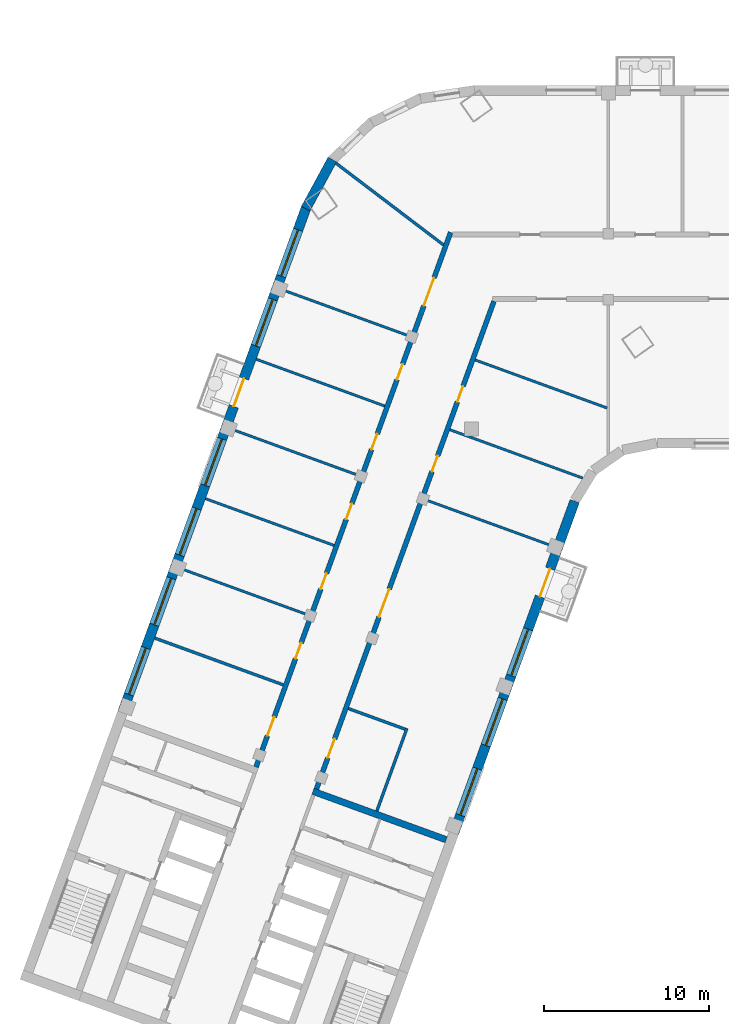
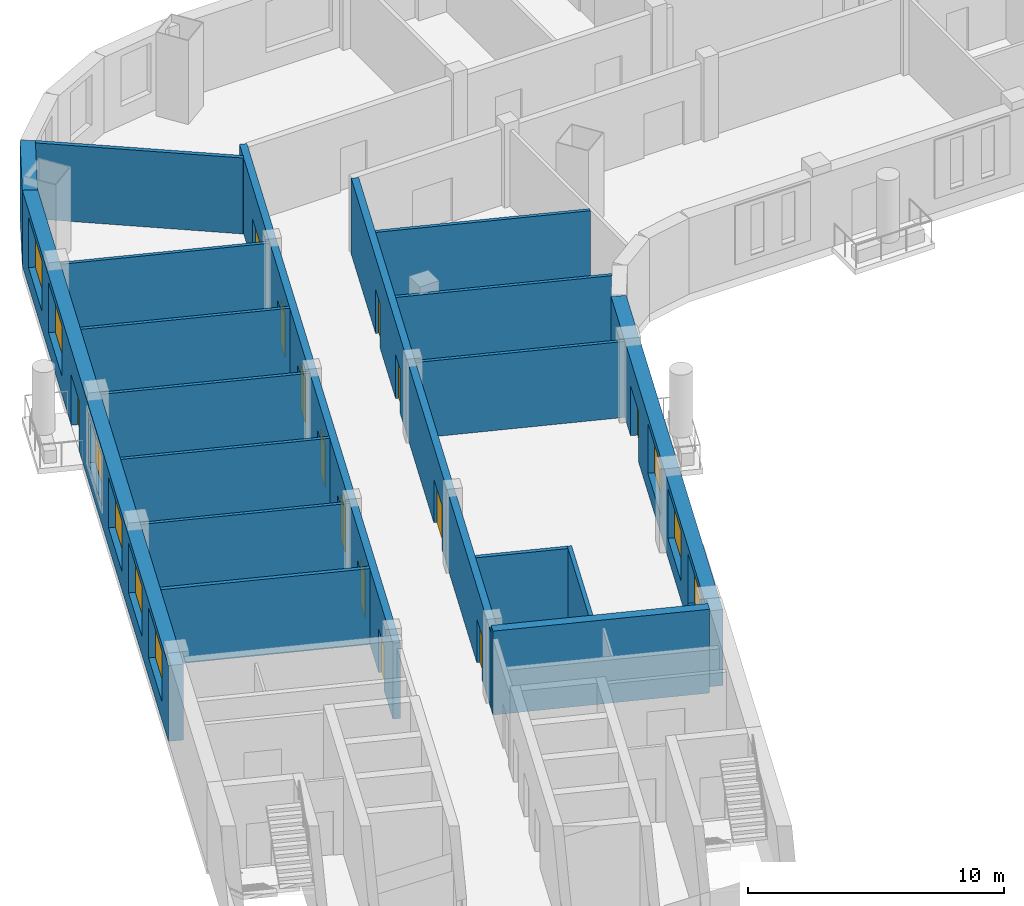
# One storey, part 3 of 16: 18 walls, 13 doors, 9 windows, 22 openings.
"""IFC4 building model written with IfcOpenShell, lengths in metres."""

from ifc_helpers import new_model, si_unit, direction, frame, frame_2d, origin, place, context, subcontext, project, spatial, rectangle, extrude, material, layer, layer_set, type_object, element, fill, save


model = new_model("IFC4")

# Units and contexts
model_context = context("Model", 3, precision=1e-05, world=origin(), true_north=direction((0.0, 1.0)))
body_context = subcontext(model_context, "Body", "Model", "MODEL_VIEW")
ifc_project = project(units=[si_unit("LENGTHUNIT", "METRE"), si_unit("AREAUNIT", "SQUARE_METRE"), si_unit("VOLUMEUNIT", "CUBIC_METRE"), si_unit("PLANEANGLEUNIT", "RADIAN"), si_unit("MASSUNIT", "GRAM", prefix="KILO")], contexts=[model_context])

# Site, building, storey
site_placement = place(None, origin())
site = spatial("IfcSite", under=ifc_project, at=site_placement, CompositionType="ELEMENT")
building_placement = place(site_placement, origin())
building = spatial("IfcBuilding", under=site, at=building_placement, Name="Skarvind Civic Tower", CompositionType="ELEMENT")
storey_placement = place(building_placement, frame((0.0, 0.0, 81.0)))
storey = spatial("IfcBuildingStorey", under=building, at=storey_placement, Name="L18", CompositionType="ELEMENT", Elevation=81.0)

# Walls
ifc_material_1 = material(Name="Acoustic gypsum board on steel studs", Category="steel")
ifc_layer_1 = layer(ifc_material_1, 0.175048828125)
ifc_layer_set_1 = layer_set([ifc_layer_1], Name="ACOUSTIC MEETING-ROOM PARTITION 175")
wall_type_1 = type_object("IfcWallType", Name="ACOUSTIC MEETING-ROOM PARTITION 175", PredefinedType="PARTITIONING", material=ifc_layer_set_1)
wall_1_placement = place(storey_placement, frame((26.736083984375, 105.47998046875, 0.0), z_axis=(0.0, 0.0, 1.0), x_axis=(0.93969376504, -0.342016999496, 0.0)))
element("IfcWall", 1, at=wall_1_placement, inside=storey, type_object=wall_type_1, Name="Partition 18.001", PredefinedType="PARTITIONING", context=body_context, shape_type="SweptSolid", body=[
    extrude(rectangle(XDim=8.30029296875, YDim=0.175048828125, at=frame_2d((4.150146484375, 0.0))), origin(), (0.0, 0.0, 1.0), 3.625),
])
wall_2_placement = place(storey_placement, frame((38.48193359375, 101.2060546875, 0.0), z_axis=(0.0, 0.0, 1.0), x_axis=(0.939662978983, -0.342101572531, 0.0)))
element("IfcWall", 2, at=wall_2_placement, inside=storey, type_object=wall_type_1, Name="Partition 18.007", PredefinedType="PARTITIONING", context=body_context, shape_type="SweptSolid", body=[
    extrude(rectangle(XDim=3.6630859375, YDim=0.175048828125, at=frame_2d((1.83154296875, 0.0))), origin(), (0.0, 0.0, 1.0), 3.625),
])
wall_3_placement = place(storey_placement, frame((42.035888671875, 100.0048828125, 0.0), z_axis=(0.0, 0.0, 1.0), x_axis=(-0.341908323648, -0.939733312286, 0.0)))
element("IfcWall", 3, at=wall_3_placement, inside=storey, type_object=wall_type_1, Name="Partition 18.008", PredefinedType="PARTITIONING", context=body_context, shape_type="SweptSolid", body=[
    extrude(rectangle(XDim=5.337646484375, YDim=0.175048828125, at=frame_2d((2.6689453125, 0.0))), origin(), (0.0, 0.0, 1.0), 3.625),
])
wall_4_placement = place(storey_placement, frame((44.256103515625, 129.326904296875, 0.0), z_axis=(0.0, 0.0, 1.0), x_axis=(-0.796040504107, 0.605243352563, 0.0)))
element("IfcWall", 4, at=wall_4_placement, inside=storey, type_object=wall_type_1, Name="Partition 18.011", PredefinedType="PARTITIONING", context=body_context, shape_type="SweptSolid", body=[
    extrude(rectangle(XDim=8.197021484375, YDim=0.175048828125, at=frame_2d((4.0986328125, 0.0))), origin(), (0.0, 0.0, 1.0), 3.625),
])

# Wall, openings, doors
ifc_material_2 = material(Name="Fire-rated gypsum board on steel studs", Category="steel")
ifc_layer_2 = layer(ifc_material_2, 0.300048828125)
ifc_layer_set_2 = layer_set([ifc_layer_2], Name="CORRIDOR WALL 300")
wall_type_2 = type_object("IfcWallType", Name="CORRIDOR WALL 300", PredefinedType="PARTITIONING", material=ifc_layer_set_2)
wall_5_placement = place(storey_placement, frame((32.881103515625, 97.656982421875, 0.0), z_axis=(0.0, 0.0, 1.0), x_axis=(0.342017360004, 0.939693633828, 0.0)))
wall_5 = element("IfcWall", 5, at=wall_5_placement, inside=storey, type_object=wall_type_2, Name="Partition 18.005", PredefinedType="PARTITIONING", context=body_context, shape_type="SweptSolid", body=[
    extrude(rectangle(XDim=34.515625, YDim=0.300048828125, at=frame_2d((17.2578125, 0.0))), origin(), (0.0, 0.0, 1.0), 3.625),
])
opening_1_placement = place(wall_5_placement, frame((2.02490234375, 0.0, 0.0)))
opening_1 = element("IfcOpeningElement", 6, at=opening_1_placement, cuts=wall_5, Name="Opening L18-D017", PredefinedType="OPENING", context=body_context, shape_type="SweptSolid", body=[
    extrude(rectangle(XDim=1.199951171875, YDim=2.10009765625, at=frame_2d((0.60009765625, 1.050048828125))), frame((0.0, 0.159912109375, 0.0), z_axis=(0.0, -1.0, 0.0), x_axis=(1.0, 0.0, 0.0)), (0.0, 0.0, 1.0), 0.320068359375),
])
opening_2_placement = place(wall_5_placement, frame((6.999755859375, 0.0, 0.0)))
opening_2 = element("IfcOpeningElement", 7, at=opening_2_placement, cuts=wall_5, Name="Opening L18-D018", PredefinedType="OPENING", context=body_context, shape_type="SweptSolid", body=[
    extrude(rectangle(XDim=1.0, YDim=2.10009765625, at=frame_2d((0.5, 1.050048828125))), frame((0.0, 0.159912109375, 0.0), z_axis=(0.0, -1.0, 0.0), x_axis=(1.0, 0.0, 0.0)), (0.0, 0.0, 1.0), 0.320068359375),
])
opening_3_placement = place(wall_5_placement, frame((11.500244140625, 0.0, 0.0)))
opening_3 = element("IfcOpeningElement", 8, at=opening_3_placement, cuts=wall_5, Name="Opening L18-D019", PredefinedType="OPENING", context=body_context, shape_type="SweptSolid", body=[
    extrude(rectangle(XDim=1.0, YDim=2.10009765625, at=frame_2d((0.5, 1.050048828125))), frame((0.0, 0.159912109375, 0.0), z_axis=(0.0, -1.0, 0.0), x_axis=(1.0, 0.0, 0.0)), (0.0, 0.0, 1.0), 0.320068359375),
])
opening_4_placement = place(wall_5_placement, frame((16.0, 0.0, 0.0)))
opening_4 = element("IfcOpeningElement", 9, at=opening_4_placement, cuts=wall_5, Name="Opening L18-D020", PredefinedType="OPENING", context=body_context, shape_type="SweptSolid", body=[
    extrude(rectangle(XDim=1.0, YDim=2.10009765625, at=frame_2d((0.5, 1.050048828125))), frame((0.0, 0.159912109375, 0.0), z_axis=(0.0, -1.0, 0.0), x_axis=(1.0, 0.0, 0.0)), (0.0, 0.0, 1.0), 0.320068359375),
])
opening_5_placement = place(wall_5_placement, frame((20.5, 0.0, 0.0)))
opening_5 = element("IfcOpeningElement", 10, at=opening_5_placement, cuts=wall_5, Name="Opening L18-D021", PredefinedType="OPENING", context=body_context, shape_type="SweptSolid", body=[
    extrude(rectangle(XDim=1.0, YDim=2.10009765625, at=frame_2d((0.5, 1.050048828125))), frame((0.0, 0.159912109375, 0.0), z_axis=(0.0, -1.0, 0.0), x_axis=(1.0, 0.0, 0.0)), (0.0, 0.0, 1.0), 0.320068359375),
])
opening_6_placement = place(wall_5_placement, frame((25.000244140625, 0.0, 0.0)))
opening_6 = element("IfcOpeningElement", 11, at=opening_6_placement, cuts=wall_5, Name="Opening L18-D022", PredefinedType="OPENING", context=body_context, shape_type="SweptSolid", body=[
    extrude(rectangle(XDim=1.0, YDim=2.10009765625, at=frame_2d((0.5, 1.050048828125))), frame((0.0, 0.159912109375, 0.0), z_axis=(0.0, -1.0, 0.0), x_axis=(1.0, 0.0, 0.0)), (0.0, 0.0, 1.0), 0.320068359375),
])
opening_7_placement = place(wall_5_placement, frame((29.778564453125, 0.0, 0.0)))
opening_7 = element("IfcOpeningElement", 12, at=opening_7_placement, cuts=wall_5, Name="Opening L18-D028", PredefinedType="OPENING", context=body_context, shape_type="SweptSolid", body=[
    extrude(rectangle(XDim=1.800048828125, YDim=2.10009765625, at=frame_2d((0.89990234375, 1.050048828125))), frame((0.0, 0.159912109375, 0.0), z_axis=(0.0, -1.0, 0.0), x_axis=(1.0, 0.0, 0.0)), (0.0, 0.0, 1.0), 0.320068359375),
])
ifc_material_3 = material(Name="Fire-rated timber door leaf", Category="wood")
door_type_1 = type_object("IfcDoorType", Name="FD1 1000x2100", OperationType="NOTDEFINED", PredefinedType="DOOR", material=ifc_material_3)
door_1_placement = place(opening_2_placement, origin())
door_1 = element("IfcDoor", 13, at=door_1_placement, inside=storey, type_object=door_type_1, Name="Door L18-D018", OperationType="SINGLE_SWING_LEFT", OverallHeight=2.10009765625, OverallWidth=1.0, PredefinedType="DOOR", context=body_context, shape_type="SweptSolid", body=[
    extrude(rectangle(XDim=1.0, YDim=2.10009765625, at=frame_2d((0.5, 1.050048828125))), frame((0.0, 0.02490234375, 0.0), z_axis=(0.0, -1.0, 0.0), x_axis=(1.0, 0.0, 0.0)), (0.0, 0.0, 1.0), 0.050048828125),
])
fill(opening_2, door_1)
door_2_placement = place(opening_3_placement, origin())
door_2 = element("IfcDoor", 14, at=door_2_placement, inside=storey, type_object=door_type_1, Name="Door L18-D019", OperationType="SINGLE_SWING_RIGHT", OverallHeight=2.10009765625, OverallWidth=1.0, PredefinedType="DOOR", context=body_context, shape_type="SweptSolid", body=[
    extrude(rectangle(XDim=1.0, YDim=2.10009765625, at=frame_2d((0.5, 1.050048828125))), frame((0.0, 0.02490234375, 0.0), z_axis=(0.0, -1.0, 0.0), x_axis=(1.0, 0.0, 0.0)), (0.0, 0.0, 1.0), 0.050048828125),
])
fill(opening_3, door_2)
door_3_placement = place(opening_4_placement, origin())
door_3 = element("IfcDoor", 15, at=door_3_placement, inside=storey, type_object=door_type_1, Name="Door L18-D020", OperationType="SINGLE_SWING_LEFT", OverallHeight=2.10009765625, OverallWidth=1.0, PredefinedType="DOOR", context=body_context, shape_type="SweptSolid", body=[
    extrude(rectangle(XDim=1.0, YDim=2.10009765625, at=frame_2d((0.5, 1.050048828125))), frame((0.0, 0.02490234375, 0.0), z_axis=(0.0, -1.0, 0.0), x_axis=(1.0, 0.0, 0.0)), (0.0, 0.0, 1.0), 0.050048828125),
])
fill(opening_4, door_3)
door_4_placement = place(opening_5_placement, origin())
door_4 = element("IfcDoor", 16, at=door_4_placement, inside=storey, type_object=door_type_1, Name="Door L18-D021", OperationType="SINGLE_SWING_LEFT", OverallHeight=2.10009765625, OverallWidth=1.0, PredefinedType="DOOR", context=body_context, shape_type="SweptSolid", body=[
    extrude(rectangle(XDim=1.0, YDim=2.10009765625, at=frame_2d((0.5, 1.050048828125))), frame((0.0, 0.02490234375, 0.0), z_axis=(0.0, -1.0, 0.0), x_axis=(1.0, 0.0, 0.0)), (0.0, 0.0, 1.0), 0.050048828125),
])
fill(opening_5, door_4)
door_5_placement = place(opening_6_placement, origin())
door_5 = element("IfcDoor", 17, at=door_5_placement, inside=storey, type_object=door_type_1, Name="Door L18-D022", OperationType="SINGLE_SWING_RIGHT", OverallHeight=2.10009765625, OverallWidth=1.0, PredefinedType="DOOR", context=body_context, shape_type="SweptSolid", body=[
    extrude(rectangle(XDim=1.0, YDim=2.10009765625, at=frame_2d((0.5, 1.050048828125))), frame((0.0, 0.02490234375, 0.0), z_axis=(0.0, -1.0, 0.0), x_axis=(1.0, 0.0, 0.0)), (0.0, 0.0, 1.0), 0.050048828125),
])
fill(opening_6, door_5)
door_type_2 = type_object("IfcDoorType", Name="FD4 1800x2100", OperationType="NOTDEFINED", PredefinedType="DOOR", material=ifc_material_3)
door_6_placement = place(opening_7_placement, origin())
door_6 = element("IfcDoor", 18, at=door_6_placement, inside=storey, type_object=door_type_2, Name="Door L18-D028", OperationType="DOUBLE_DOOR_SINGLE_SWING", OverallHeight=2.10009765625, OverallWidth=1.800048828125, PredefinedType="DOOR", context=body_context, shape_type="SweptSolid", body=[
    extrude(rectangle(XDim=1.800048828125, YDim=2.10009765625, at=frame_2d((0.89990234375, 1.050048828125))), frame((0.0, 0.02490234375, 0.0), z_axis=(0.0, -1.0, 0.0), x_axis=(1.0, 0.0, 0.0)), (0.0, 0.0, 1.0), 0.050048828125),
])
fill(opening_7, door_6)
door_type_3 = type_object("IfcDoorType", Name="FD6 1200x2100 DOUBLE", OperationType="NOTDEFINED", PredefinedType="DOOR", material=ifc_material_3)
door_7_placement = place(opening_1_placement, origin())
door_7 = element("IfcDoor", 19, at=door_7_placement, inside=storey, type_object=door_type_3, Name="Door L18-D017", OperationType="DOUBLE_DOOR_SINGLE_SWING", OverallHeight=2.10009765625, OverallWidth=1.199951171875, PredefinedType="DOOR", context=body_context, shape_type="SweptSolid", body=[
    extrude(rectangle(XDim=1.199951171875, YDim=2.10009765625, at=frame_2d((0.60009765625, 1.050048828125))), frame((0.0, 0.02490234375, 0.0), z_axis=(0.0, -1.0, 0.0), x_axis=(1.0, 0.0, 0.0)), (0.0, 0.0, 1.0), 0.050048828125),
])
fill(opening_1, door_7)

wall_6_placement = place(storey_placement, frame((47.31396484375, 125.908935546875, 0.0), z_axis=(0.0, 0.0, 1.0), x_axis=(-0.342010770371, -0.939696032209, 0.0)))
wall_6 = element("IfcWall", 20, at=wall_6_placement, inside=storey, type_object=wall_type_2, Name="Partition 18.014", PredefinedType="PARTITIONING", context=body_context, shape_type="SweptSolid", body=[
    extrude(rectangle(XDim=31.484619140625, YDim=0.300048828125, at=frame_2d((15.7421875, 0.0))), origin(), (0.0, 0.0, 1.0), 3.625),
])
opening_8_placement = place(wall_6_placement, frame((28.25927734375, 0.0, 0.0)))
opening_8 = element("IfcOpeningElement", 21, at=opening_8_placement, cuts=wall_6, Name="Opening L18-D023", PredefinedType="OPENING", context=body_context, shape_type="SweptSolid", body=[
    extrude(rectangle(XDim=1.199951171875, YDim=2.10009765625, at=frame_2d((0.60009765625, 1.050048828125))), frame((0.0, 0.159912109375, 0.0), z_axis=(0.0, -1.0, 0.0), x_axis=(1.0, 0.0, 0.0)), (0.0, 0.0, 1.0), 0.320068359375),
])
opening_9_placement = place(wall_6_placement, frame((18.58447265625, 0.0, 0.0)))
opening_9 = element("IfcOpeningElement", 22, at=opening_9_placement, cuts=wall_6, Name="Opening L18-D024", PredefinedType="OPENING", context=body_context, shape_type="SweptSolid", body=[
    extrude(rectangle(XDim=1.800048828125, YDim=2.10009765625, at=frame_2d((0.89990234375, 1.050048828125))), frame((0.0, 0.159912109375, 0.0), z_axis=(0.0, -1.0, 0.0), x_axis=(1.0, 0.0, 0.0)), (0.0, 0.0, 1.0), 0.320068359375),
])
opening_10_placement = place(wall_6_placement, frame((9.984619140625, 0.0, 0.0)))
opening_10 = element("IfcOpeningElement", 23, at=opening_10_placement, cuts=wall_6, Name="Opening L18-D025", PredefinedType="OPENING", context=body_context, shape_type="SweptSolid", body=[
    extrude(rectangle(XDim=1.0, YDim=2.10009765625, at=frame_2d((0.5, 1.050048828125))), frame((0.0, 0.159912109375, 0.0), z_axis=(0.0, -1.0, 0.0), x_axis=(1.0, 0.0, 0.0)), (0.0, 0.0, 1.0), 0.320068359375),
])
opening_11_placement = place(wall_6_placement, frame((5.484130859375, 0.0, 0.0)))
opening_11 = element("IfcOpeningElement", 24, at=opening_11_placement, cuts=wall_6, Name="Opening L18-D026", PredefinedType="OPENING", context=body_context, shape_type="SweptSolid", body=[
    extrude(rectangle(XDim=1.0, YDim=2.10009765625, at=frame_2d((0.5, 1.050048828125))), frame((0.0, 0.159912109375, 0.0), z_axis=(0.0, -1.0, 0.0), x_axis=(1.0, 0.0, 0.0)), (0.0, 0.0, 1.0), 0.320068359375),
])
door_8_placement = place(opening_10_placement, origin())
door_8 = element("IfcDoor", 25, at=door_8_placement, inside=storey, type_object=door_type_1, Name="Door L18-D025", OperationType="SINGLE_SWING_LEFT", OverallHeight=2.10009765625, OverallWidth=1.0, PredefinedType="DOOR", context=body_context, shape_type="SweptSolid", body=[
    extrude(rectangle(XDim=1.0, YDim=2.10009765625, at=frame_2d((0.5, 1.050048828125))), frame((0.0, 0.02490234375, 0.0), z_axis=(0.0, -1.0, 0.0), x_axis=(1.0, 0.0, 0.0)), (0.0, 0.0, 1.0), 0.050048828125),
])
fill(opening_10, door_8)
door_9_placement = place(opening_11_placement, origin())
door_9 = element("IfcDoor", 26, at=door_9_placement, inside=storey, type_object=door_type_1, Name="Door L18-D026", OperationType="SINGLE_SWING_LEFT", OverallHeight=2.10009765625, OverallWidth=1.0, PredefinedType="DOOR", context=body_context, shape_type="SweptSolid", body=[
    extrude(rectangle(XDim=1.0, YDim=2.10009765625, at=frame_2d((0.5, 1.050048828125))), frame((0.0, 0.02490234375, 0.0), z_axis=(0.0, -1.0, 0.0), x_axis=(1.0, 0.0, 0.0)), (0.0, 0.0, 1.0), 0.050048828125),
])
fill(opening_11, door_9)
door_10_placement = place(opening_9_placement, origin())
door_10 = element("IfcDoor", 27, at=door_10_placement, inside=storey, type_object=door_type_2, Name="Door L18-D024", OperationType="DOUBLE_DOOR_SINGLE_SWING", OverallHeight=2.10009765625, OverallWidth=1.800048828125, PredefinedType="DOOR", context=body_context, shape_type="SweptSolid", body=[
    extrude(rectangle(XDim=1.800048828125, YDim=2.10009765625, at=frame_2d((0.89990234375, 1.050048828125))), frame((0.0, 0.02490234375, 0.0), z_axis=(0.0, -1.0, 0.0), x_axis=(1.0, 0.0, 0.0)), (0.0, 0.0, 1.0), 0.050048828125),
])
fill(opening_9, door_10)
door_11_placement = place(opening_8_placement, origin())
door_11 = element("IfcDoor", 28, at=door_11_placement, inside=storey, type_object=door_type_3, Name="Door L18-D023", OperationType="DOUBLE_DOOR_SINGLE_SWING", OverallHeight=2.10009765625, OverallWidth=1.199951171875, PredefinedType="DOOR", context=body_context, shape_type="SweptSolid", body=[
    extrude(rectangle(XDim=1.199951171875, YDim=2.10009765625, at=frame_2d((0.60009765625, 1.050048828125))), frame((0.0, 0.02490234375, 0.0), z_axis=(0.0, -1.0, 0.0), x_axis=(1.0, 0.0, 0.0)), (0.0, 0.0, 1.0), 0.050048828125),
])
fill(opening_8, door_11)

# Walls
ifc_material_4 = material(Name="Concrete C80", Category="concrete")
ifc_layer_3 = layer(ifc_material_4, 0.39990234375)
ifc_layer_set_3 = layer_set([ifc_layer_3], Name="Core wall 400 C80")
wall_type_3 = type_object("IfcWallType", Name="Core wall 400 C80", PredefinedType="SHEAR", material=ifc_layer_set_3)
wall_7_placement = place(storey_placement, frame((44.417724609375, 93.2451171875, 0.0), z_axis=(0.0, 0.0, 1.0), x_axis=(-0.93969060187, 0.342025690201, 0.0)))
element("IfcWall", 29, at=wall_7_placement, inside=storey, type_object=wall_type_3, Name="Core wall C2 south inner face L18", PredefinedType="SHEAR", context=body_context, shape_type="SweptSolid", body=[
    extrude(rectangle(XDim=8.599853515625, YDim=0.39990234375, at=frame_2d((4.2998046875, 0.0))), origin(), (0.0, 0.0, 1.0), 4.0),
])
ifc_material_5 = material(Name="Plasterboard partition on steel studs", Category="steel")
ifc_layer_4 = layer(ifc_material_5, 0.14990234375)
ifc_layer_set_4 = layer_set([ifc_layer_4], Name="PARTITION 150")
wall_type_4 = type_object("IfcWallType", Name="PARTITION 150", PredefinedType="PARTITIONING", material=ifc_layer_set_4)
for number, where, z_axis, x_axis, name in (
    (30, (28.27490234375, 109.708984375, 0.0), (0.0, 0.0, 1.0), (0.939697205528, -0.342007546586, 0.0), "Partition 18.002"),
    (31, (29.81396484375, 113.93798828125, 0.0), (0.0, 0.0, 1.0), (0.939697205528, -0.342007546586, 0.0), "Partition 18.003"),
):
    element("IfcWall", number, at=place(storey_placement, frame(where, z_axis=z_axis, x_axis=x_axis)), inside=storey, type_object=wall_type_4, Name=name, PredefinedType="PARTITIONING", context=body_context, shape_type="SweptSolid", body=[
        extrude(rectangle(XDim=8.300537109375, YDim=0.14990234375, at=frame_2d((4.150390625, 0.0))), origin(), (0.0, 0.0, 1.0), 3.625),
    ])
wall_8_placement = place(storey_placement, frame((31.35302734375, 118.166015625, 0.0), z_axis=(0.0, 0.0, 1.0), x_axis=(0.939687752599, -0.342033518263, 0.0)))
element("IfcWall", 32, at=wall_8_placement, inside=storey, type_object=wall_type_4, Name="Partition 18.004", PredefinedType="PARTITIONING", context=body_context, shape_type="SweptSolid", body=[
    extrude(rectangle(XDim=8.30078125, YDim=0.14990234375, at=frame_2d((4.150390625, 0.0))), origin(), (0.0, 0.0, 1.0), 3.625),
])
wall_9_placement = place(storey_placement, frame((32.89208984375, 122.39501953125, 0.0), z_axis=(0.0, 0.0, 1.0), x_axis=(0.939684311623, -0.3420429717, 0.0)))
element("IfcWall", 33, at=wall_9_placement, inside=storey, type_object=wall_type_4, Name="Partition 18.006", PredefinedType="PARTITIONING", context=body_context, shape_type="SweptSolid", body=[
    extrude(rectangle(XDim=8.300537109375, YDim=0.14990234375, at=frame_2d((4.150390625, 0.0))), origin(), (0.0, 0.0, 1.0), 3.625),
])
wall_10_placement = place(storey_placement, frame((42.23095703125, 123.784912109375, 0.0), z_axis=(0.0, 0.0, 1.0), x_axis=(-0.939687752599, 0.342033518263, 0.0)))
element("IfcWall", 34, at=wall_10_placement, inside=storey, type_object=wall_type_4, Name="Partition 18.009", PredefinedType="PARTITIONING", context=body_context, shape_type="SweptSolid", body=[
    extrude(rectangle(XDim=8.30078125, YDim=0.14990234375, at=frame_2d((4.150390625, 0.0))), origin(), (0.0, 0.0, 1.0), 3.625),
])
wall_11_placement = place(storey_placement, frame((43.10009765625, 113.89111328125, 0.0), z_axis=(0.0, 0.0, 1.0), x_axis=(0.939670544866, -0.342080790328, 0.0)))
element("IfcWall", 35, at=wall_11_placement, inside=storey, type_object=wall_type_4, Name="Partition 18.010", PredefinedType="PARTITIONING", context=body_context, shape_type="SweptSolid", body=[
    extrude(rectangle(XDim=8.299560546875, YDim=0.14990234375, at=frame_2d((4.14990234375, 0.0))), origin(), (0.0, 0.0, 1.0), 3.625),
])
wall_12_placement = place(storey_placement, frame((44.638916015625, 118.1201171875, 0.0), z_axis=(0.0, 0.0, 1.0), x_axis=(0.939669707102, -0.342083091593, 0.0)))
element("IfcWall", 36, at=wall_12_placement, inside=storey, type_object=wall_type_4, Name="Partition 18.012", PredefinedType="PARTITIONING", context=body_context, shape_type="SweptSolid", body=[
    extrude(rectangle(XDim=8.58935546875, YDim=0.14990234375, at=frame_2d((4.294677734375, 0.0))), origin(), (0.0, 0.0, 1.0), 3.625),
])
wall_13_placement = place(storey_placement, frame((54.179931640625, 119.43603515625, 0.0), z_axis=(0.0, 0.0, 1.0), x_axis=(-0.939669476286, 0.342083725624, 0.0)))
element("IfcWall", 37, at=wall_13_placement, inside=storey, type_object=wall_type_4, Name="Partition 18.016", PredefinedType="PARTITIONING", context=body_context, shape_type="SweptSolid", body=[
    extrude(rectangle(XDim=8.515625, YDim=0.14990234375, at=frame_2d((4.2578125, 0.0))), origin(), (0.0, 0.0, 1.0), 3.625),
])

# Wall, openings, door, windows
ifc_material_6 = material(Name="Limestone masonry cladding on insulated backing", Category="masonry")
ifc_layer_5 = layer(ifc_material_6, 0.60009765625)
ifc_layer_set_5 = layer_set([ifc_layer_5], Name="WX1 STONE FACADE WALL 600")
wall_type_5 = type_object("IfcWallType", Name="WX1 STONE FACADE WALL 600", PredefinedType="SOLIDWALL", material=ifc_layer_set_5)
wall_14_placement = place(storey_placement, frame((52.212158203125, 113.78271484375, 0.0), z_axis=(0.0, 0.0, 1.0), x_axis=(-0.34202521188, -0.939690775968, 0.0)))
wall_14 = element("IfcWall", 38, at=wall_14_placement, inside=storey, type_object=wall_type_5, Name="STONE FACADE WALL", PredefinedType="SOLIDWALL", context=body_context, shape_type="SweptSolid", body=[
    extrude(rectangle(XDim=21.744873046875, YDim=0.60009765625, at=frame_2d((10.87255859375, 0.0))), origin(), (0.0, 0.0, 1.0), 3.625),
])
opening_12_placement = place(wall_14_placement, frame((4.364990234375, 0.0, 0.0)))
opening_12 = element("IfcOpeningElement", 39, at=opening_12_placement, cuts=wall_14, Name="Opening DX3", PredefinedType="OPENING", context=body_context, shape_type="SweptSolid", body=[
    extrude(rectangle(XDim=1.800048828125, YDim=2.39990234375, at=frame_2d((0.89990234375, 1.199951171875))), frame((0.0, 0.31005859375, 0.0), z_axis=(0.0, -1.0, 0.0), x_axis=(1.0, 0.0, 0.0)), (0.0, 0.0, 1.0), 0.6201171875),
])
opening_13_placement = place(wall_14_placement, frame((8.264892578125, 0.0, 0.89990234375)))
opening_13 = element("IfcOpeningElement", 40, at=opening_13_placement, cuts=wall_14, Name="Opening WN1", PredefinedType="OPENING", context=body_context, shape_type="SweptSolid", body=[
    extrude(rectangle(XDim=3.0, YDim=2.39990234375, at=frame_2d((1.5, 1.199951171875))), frame((0.0, 0.31005859375, 0.0), z_axis=(0.0, -1.0, 0.0), x_axis=(1.0, 0.0, 0.0)), (0.0, 0.0, 1.0), 0.6201171875),
])
opening_14_placement = place(wall_14_placement, frame((12.764892578125, 0.0, 0.89990234375)))
opening_14 = element("IfcOpeningElement", 41, at=opening_14_placement, cuts=wall_14, Name="Opening WN1", PredefinedType="OPENING", context=body_context, shape_type="SweptSolid", body=[
    extrude(rectangle(XDim=3.0, YDim=2.39990234375, at=frame_2d((1.5, 1.199951171875))), frame((0.0, 0.31005859375, 0.0), z_axis=(0.0, -1.0, 0.0), x_axis=(1.0, 0.0, 0.0)), (0.0, 0.0, 1.0), 0.6201171875),
])
opening_15_placement = place(wall_14_placement, frame((17.264892578125, 0.0, 0.89990234375)))
opening_15 = element("IfcOpeningElement", 42, at=opening_15_placement, cuts=wall_14, Name="Opening WN1", PredefinedType="OPENING", context=body_context, shape_type="SweptSolid", body=[
    extrude(rectangle(XDim=3.0, YDim=2.39990234375, at=frame_2d((1.5, 1.199951171875))), frame((0.0, 0.31005859375, 0.0), z_axis=(0.0, -1.0, 0.0), x_axis=(1.0, 0.0, 0.0)), (0.0, 0.0, 1.0), 0.6201171875),
])
ifc_material_7 = material(Name="Timber and glass doorset", Category="wood")
door_type_4 = type_object("IfcDoorType", Name="DX3 TERRACE DOORS 1800 x 2400", OperationType="NOTDEFINED", PredefinedType="DOOR", material=ifc_material_7)
door_12_placement = place(opening_12_placement, origin())
door_12 = element("IfcDoor", 43, at=door_12_placement, inside=storey, type_object=door_type_4, Name="TERRACE DOORS", OperationType="DOUBLE_DOOR_SINGLE_SWING", OverallHeight=2.39990234375, OverallWidth=1.800048828125, PredefinedType="DOOR", context=body_context, shape_type="SweptSolid", body=[
    extrude(rectangle(XDim=1.800048828125, YDim=2.39990234375, at=frame_2d((0.89990234375, 1.199951171875))), frame((0.0, 0.02490234375, 0.0), z_axis=(0.0, -1.0, 0.0), x_axis=(1.0, 0.0, 0.0)), (0.0, 0.0, 1.0), 0.050048828125),
])
fill(opening_12, door_12)
ifc_material_8 = material(Name="Timber frame, double glazing, timber-lined reveal", Category="wood")
window_type = type_object("IfcWindowType", Name="WN1 PUNCHED STONE WINDOW 3000 x 2400", PartitioningType="SINGLE_PANEL", PredefinedType="WINDOW", material=ifc_material_8)
window_1_placement = place(opening_13_placement, origin())
window_1 = element("IfcWindow", 44, at=window_1_placement, inside=storey, type_object=window_type, Name="WN1 WINDOW", OverallHeight=2.39990234375, OverallWidth=3.0, PartitioningType="SINGLE_PANEL", PredefinedType="WINDOW", context=body_context, shape_type="SweptSolid", body=[
    extrude(rectangle(XDim=3.0, YDim=2.39990234375, at=frame_2d((1.5, 1.199951171875))), frame((0.0, 0.030029296875, 0.0), z_axis=(0.0, -1.0, 0.0), x_axis=(1.0, 0.0, 0.0)), (0.0, 0.0, 1.0), 0.06005859375),
])
fill(opening_13, window_1)
window_2_placement = place(opening_14_placement, origin())
window_2 = element("IfcWindow", 45, at=window_2_placement, inside=storey, type_object=window_type, Name="WN1 WINDOW", OverallHeight=2.39990234375, OverallWidth=3.0, PartitioningType="SINGLE_PANEL", PredefinedType="WINDOW", context=body_context, shape_type="SweptSolid", body=[
    extrude(rectangle(XDim=3.0, YDim=2.39990234375, at=frame_2d((1.5, 1.199951171875))), frame((0.0, 0.030029296875, 0.0), z_axis=(0.0, -1.0, 0.0), x_axis=(1.0, 0.0, 0.0)), (0.0, 0.0, 1.0), 0.06005859375),
])
fill(opening_14, window_2)
window_3_placement = place(opening_15_placement, origin())
window_3 = element("IfcWindow", 46, at=window_3_placement, inside=storey, type_object=window_type, Name="WN1 WINDOW", OverallHeight=2.39990234375, OverallWidth=3.0, PartitioningType="SINGLE_PANEL", PredefinedType="WINDOW", context=body_context, shape_type="SweptSolid", body=[
    extrude(rectangle(XDim=3.0, YDim=2.39990234375, at=frame_2d((1.5, 1.199951171875))), frame((0.0, 0.030029296875, 0.0), z_axis=(0.0, -1.0, 0.0), x_axis=(1.0, 0.0, 0.0)), (0.0, 0.0, 1.0), 0.06005859375),
])
fill(opening_15, window_3)

# Wall
wall_15_placement = place(storey_placement, frame((35.89453125, 131.529541015625, 0.0), z_axis=(0.0, 0.0, 1.0), x_axis=(0.476531180538, 0.879157570618, 0.0)))
element("IfcWall", 47, at=wall_15_placement, inside=storey, type_object=wall_type_5, Name="STONE FACADE WALL", PredefinedType="SOLIDWALL", context=body_context, shape_type="SweptSolid", body=[
    extrude(rectangle(XDim=3.392578125, YDim=0.60009765625, at=frame_2d((1.6962890625, 0.0))), origin(), (0.0, 0.0, 1.0), 3.625),
])

# Wall, openings, door, windows
wall_16_placement = place(storey_placement, frame((24.66552734375, 100.668701171875, 0.0), z_axis=(0.0, 0.0, 1.0), x_axis=(0.34201964167, 0.939692803373, 0.0)))
wall_16 = element("IfcWall", 48, at=wall_16_placement, inside=storey, type_object=wall_type_5, Name="STONE FACADE WALL", PredefinedType="SOLIDWALL", context=body_context, shape_type="SweptSolid", body=[
    extrude(rectangle(XDim=32.88427734375, YDim=0.60009765625, at=frame_2d((16.442138671875, 0.0))), origin(), (0.0, 0.0, 1.0), 3.625),
])
opening_16_placement = place(wall_16_placement, frame((1.47998046875, 0.0, 0.89990234375)))
opening_16 = element("IfcOpeningElement", 49, at=opening_16_placement, cuts=wall_16, Name="Opening WN1", PredefinedType="OPENING", context=body_context, shape_type="SweptSolid", body=[
    extrude(rectangle(XDim=3.0, YDim=2.39990234375, at=frame_2d((1.5, 1.199951171875))), frame((0.0, 0.31005859375, 0.0), z_axis=(0.0, -1.0, 0.0), x_axis=(1.0, 0.0, 0.0)), (0.0, 0.0, 1.0), 0.6201171875),
])
opening_17_placement = place(wall_16_placement, frame((5.97998046875, 0.0, 0.89990234375)))
opening_17 = element("IfcOpeningElement", 50, at=opening_17_placement, cuts=wall_16, Name="Opening WN1", PredefinedType="OPENING", context=body_context, shape_type="SweptSolid", body=[
    extrude(rectangle(XDim=3.0, YDim=2.39990234375, at=frame_2d((1.5, 1.199951171875))), frame((0.0, 0.31005859375, 0.0), z_axis=(0.0, -1.0, 0.0), x_axis=(1.0, 0.0, 0.0)), (0.0, 0.0, 1.0), 0.6201171875),
])
opening_18_placement = place(wall_16_placement, frame((10.47998046875, 0.0, 0.89990234375)))
opening_18 = element("IfcOpeningElement", 51, at=opening_18_placement, cuts=wall_16, Name="Opening WN1", PredefinedType="OPENING", context=body_context, shape_type="SweptSolid", body=[
    extrude(rectangle(XDim=3.0, YDim=2.39990234375, at=frame_2d((1.5, 1.199951171875))), frame((0.0, 0.31005859375, 0.0), z_axis=(0.0, -1.0, 0.0), x_axis=(1.0, 0.0, 0.0)), (0.0, 0.0, 1.0), 0.6201171875),
])
opening_19_placement = place(wall_16_placement, frame((14.97998046875, 0.0, 0.89990234375)))
opening_19 = element("IfcOpeningElement", 52, at=opening_19_placement, cuts=wall_16, Name="Opening WN1", PredefinedType="OPENING", context=body_context, shape_type="SweptSolid", body=[
    extrude(rectangle(XDim=3.0, YDim=2.39990234375, at=frame_2d((1.5, 1.199951171875))), frame((0.0, 0.31005859375, 0.0), z_axis=(0.0, -1.0, 0.0), x_axis=(1.0, 0.0, 0.0)), (0.0, 0.0, 1.0), 0.6201171875),
])
opening_20_placement = place(wall_16_placement, frame((20.080078125, 0.0, 0.0)))
opening_20 = element("IfcOpeningElement", 53, at=opening_20_placement, cuts=wall_16, Name="Opening DX3", PredefinedType="OPENING", context=body_context, shape_type="SweptSolid", body=[
    extrude(rectangle(XDim=1.800048828125, YDim=2.39990234375, at=frame_2d((0.89990234375, 1.199951171875))), frame((0.0, 0.31005859375, 0.0), z_axis=(0.0, -1.0, 0.0), x_axis=(1.0, 0.0, 0.0)), (0.0, 0.0, 1.0), 0.6201171875),
])
opening_21_placement = place(wall_16_placement, frame((23.97998046875, 0.0, 0.89990234375)))
opening_21 = element("IfcOpeningElement", 54, at=opening_21_placement, cuts=wall_16, Name="Opening WN1", PredefinedType="OPENING", context=body_context, shape_type="SweptSolid", body=[
    extrude(rectangle(XDim=3.0, YDim=2.39990234375, at=frame_2d((1.5, 1.199951171875))), frame((0.0, 0.31005859375, 0.0), z_axis=(0.0, -1.0, 0.0), x_axis=(1.0, 0.0, 0.0)), (0.0, 0.0, 1.0), 0.6201171875),
])
opening_22_placement = place(wall_16_placement, frame((28.47998046875, 0.0, 0.89990234375)))
opening_22 = element("IfcOpeningElement", 55, at=opening_22_placement, cuts=wall_16, Name="Opening WN1", PredefinedType="OPENING", context=body_context, shape_type="SweptSolid", body=[
    extrude(rectangle(XDim=3.0, YDim=2.39990234375, at=frame_2d((1.5, 1.199951171875))), frame((0.0, 0.31005859375, 0.0), z_axis=(0.0, -1.0, 0.0), x_axis=(1.0, 0.0, 0.0)), (0.0, 0.0, 1.0), 0.6201171875),
])
door_13_placement = place(opening_20_placement, origin())
door_13 = element("IfcDoor", 56, at=door_13_placement, inside=storey, type_object=door_type_4, Name="TERRACE DOORS", OperationType="DOUBLE_DOOR_SINGLE_SWING", OverallHeight=2.39990234375, OverallWidth=1.800048828125, PredefinedType="DOOR", context=body_context, shape_type="SweptSolid", body=[
    extrude(rectangle(XDim=1.800048828125, YDim=2.39990234375, at=frame_2d((0.89990234375, 1.199951171875))), frame((0.0, 0.02490234375, 0.0), z_axis=(0.0, -1.0, 0.0), x_axis=(1.0, 0.0, 0.0)), (0.0, 0.0, 1.0), 0.050048828125),
])
fill(opening_20, door_13)
window_4_placement = place(opening_16_placement, origin())
window_4 = element("IfcWindow", 57, at=window_4_placement, inside=storey, type_object=window_type, Name="WN1 WINDOW", OverallHeight=2.39990234375, OverallWidth=3.0, PartitioningType="SINGLE_PANEL", PredefinedType="WINDOW", context=body_context, shape_type="SweptSolid", body=[
    extrude(rectangle(XDim=3.0, YDim=2.39990234375, at=frame_2d((1.5, 1.199951171875))), frame((0.0, 0.030029296875, 0.0), z_axis=(0.0, -1.0, 0.0), x_axis=(1.0, 0.0, 0.0)), (0.0, 0.0, 1.0), 0.06005859375),
])
fill(opening_16, window_4)
window_5_placement = place(opening_17_placement, origin())
window_5 = element("IfcWindow", 58, at=window_5_placement, inside=storey, type_object=window_type, Name="WN1 WINDOW", OverallHeight=2.39990234375, OverallWidth=3.0, PartitioningType="SINGLE_PANEL", PredefinedType="WINDOW", context=body_context, shape_type="SweptSolid", body=[
    extrude(rectangle(XDim=3.0, YDim=2.39990234375, at=frame_2d((1.5, 1.199951171875))), frame((0.0, 0.030029296875, 0.0), z_axis=(0.0, -1.0, 0.0), x_axis=(1.0, 0.0, 0.0)), (0.0, 0.0, 1.0), 0.06005859375),
])
fill(opening_17, window_5)
window_6_placement = place(opening_18_placement, origin())
window_6 = element("IfcWindow", 59, at=window_6_placement, inside=storey, type_object=window_type, Name="WN1 WINDOW", OverallHeight=2.39990234375, OverallWidth=3.0, PartitioningType="SINGLE_PANEL", PredefinedType="WINDOW", context=body_context, shape_type="SweptSolid", body=[
    extrude(rectangle(XDim=3.0, YDim=2.39990234375, at=frame_2d((1.5, 1.199951171875))), frame((0.0, 0.030029296875, 0.0), z_axis=(0.0, -1.0, 0.0), x_axis=(1.0, 0.0, 0.0)), (0.0, 0.0, 1.0), 0.06005859375),
])
fill(opening_18, window_6)
window_7_placement = place(opening_19_placement, origin())
window_7 = element("IfcWindow", 60, at=window_7_placement, inside=storey, type_object=window_type, Name="WN1 WINDOW", OverallHeight=2.39990234375, OverallWidth=3.0, PartitioningType="SINGLE_PANEL", PredefinedType="WINDOW", context=body_context, shape_type="SweptSolid", body=[
    extrude(rectangle(XDim=3.0, YDim=2.39990234375, at=frame_2d((1.5, 1.199951171875))), frame((0.0, 0.030029296875, 0.0), z_axis=(0.0, -1.0, 0.0), x_axis=(1.0, 0.0, 0.0)), (0.0, 0.0, 1.0), 0.06005859375),
])
fill(opening_19, window_7)
window_8_placement = place(opening_21_placement, origin())
window_8 = element("IfcWindow", 61, at=window_8_placement, inside=storey, type_object=window_type, Name="WN1 WINDOW", OverallHeight=2.39990234375, OverallWidth=3.0, PartitioningType="SINGLE_PANEL", PredefinedType="WINDOW", context=body_context, shape_type="SweptSolid", body=[
    extrude(rectangle(XDim=3.0, YDim=2.39990234375, at=frame_2d((1.5, 1.199951171875))), frame((0.0, 0.030029296875, 0.0), z_axis=(0.0, -1.0, 0.0), x_axis=(1.0, 0.0, 0.0)), (0.0, 0.0, 1.0), 0.06005859375),
])
fill(opening_21, window_8)
window_9_placement = place(opening_22_placement, origin())
window_9 = element("IfcWindow", 62, at=window_9_placement, inside=storey, type_object=window_type, Name="WN1 WINDOW", OverallHeight=2.39990234375, OverallWidth=3.0, PartitioningType="SINGLE_PANEL", PredefinedType="WINDOW", context=body_context, shape_type="SweptSolid", body=[
    extrude(rectangle(XDim=3.0, YDim=2.39990234375, at=frame_2d((1.5, 1.199951171875))), frame((0.0, 0.030029296875, 0.0), z_axis=(0.0, -1.0, 0.0), x_axis=(1.0, 0.0, 0.0)), (0.0, 0.0, 1.0), 0.06005859375),
])
fill(opening_22, window_9)

save(model, "model.ifc")
